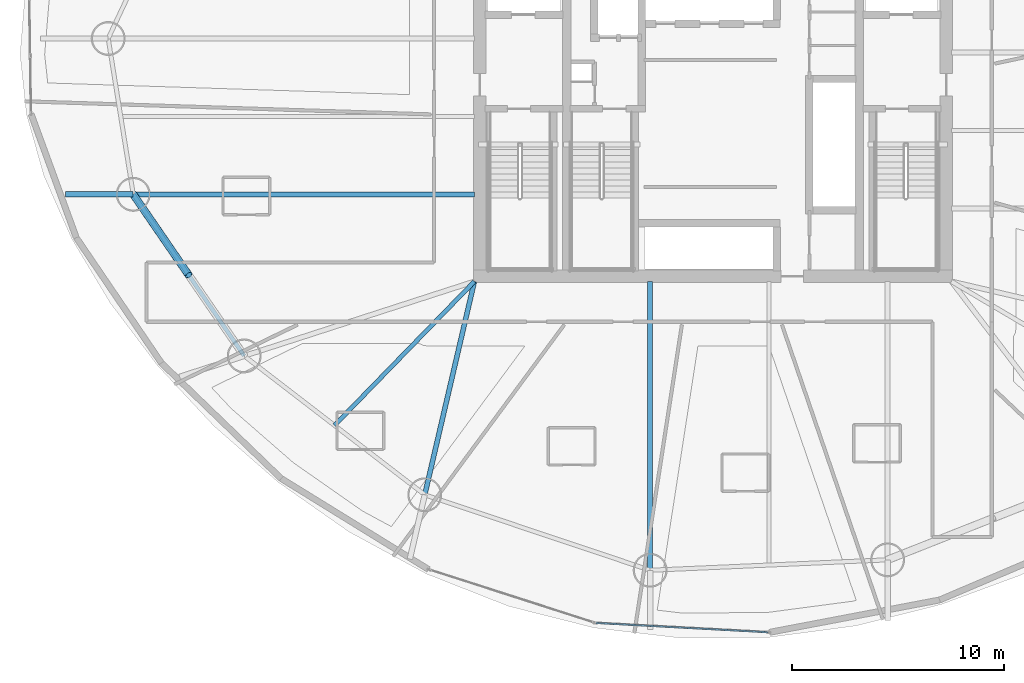
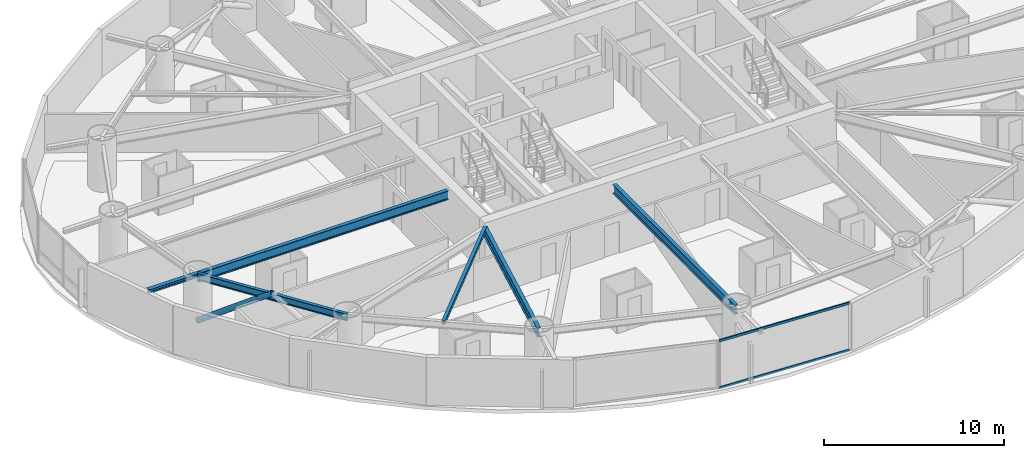
# One storey, part 3 of 26: 6 beams, 3 members, 1 element without a shape of its own.
"""IFC4 building model written with IfcOpenShell, lengths in metres."""

import ifcopenshell
import ifcopenshell.guid

model = None  # the IFC model being written
_history = None  # IfcOwnerHistory: only IFC2X3 demands one
_inside = {}  # id of a spatial element -> (the spatial element, [elements in it])
_under = {}  # id of a project, library or spatial element -> (it, [spatial elements below it])
_declared = {}  # id of a project -> (the project, [libraries it declares])
_typed = {}  # id of a type object -> (the type object, [elements of that type])
_made_of = {}  # id of a material, layer set ... -> (it, [elements and type objects made of it])


def new_model(schema):
    """Start an empty IFC model of exactly this schema.

    Asked for "IFC4X3", IfcOpenShell would pick the latest addendum, in which some entities
    have other attributes; the version numbers below select the first issue.
    IFC2X3 requires an IfcOwnerHistory on every rooted entity: one is made here for all.
    """
    global model, _history
    if schema == "IFC4X3":
        model = ifcopenshell.file(schema_version=(4, 3, 0, 0))
    else:
        model = ifcopenshell.file(schema=schema)
    _inside.clear()
    _under.clear()
    _declared.clear()
    _typed.clear()
    _made_of.clear()
    _history = None
    if model.schema == "IFC2X3":
        org = make("IfcOrganization", Name="unknown")
        user = make(
            "IfcPersonAndOrganization",
            ThePerson=make("IfcPerson", FamilyName="unknown"),
            TheOrganization=org,
        )
        app = make(
            "IfcApplication",
            ApplicationDeveloper=org,
            Version="unknown",
            ApplicationFullName="unknown",
            ApplicationIdentifier="unknown",
        )
        _history = make(
            "IfcOwnerHistory",
            OwningUser=user,
            OwningApplication=app,
            ChangeAction="ADDED",
            CreationDate=0,
        )
    return model


def make(cls, **values):
    """One entity of the class cls with the attributes given. An attribute that is None is left unset."""
    return model.create_entity(
        cls, **{name: value for name, value in values.items() if value is not None}
    )


def rooted(cls, **values):
    """An entity with a GlobalId (a new one), such as an element, a storey or a relation."""
    return make(cls, GlobalId=ifcopenshell.guid.new(), OwnerHistory=_history, **values)


def si_unit(unit_type, name, prefix=None):
    """IfcSIUnit, for example si_unit("LENGTHUNIT", "METRE", prefix="MILLI")."""
    return make("IfcSIUnit", UnitType=unit_type, Prefix=prefix, Name=name)


def assignment(units):
    """IfcUnitAssignment: the units of a project."""
    return None if units is None else make("IfcUnitAssignment", Units=units)


def point(xyz):
    """IfcCartesianPoint."""
    return None if xyz is None else make("IfcCartesianPoint", Coordinates=xyz)


def direction(xyz):
    """IfcDirection."""
    return None if xyz is None else make("IfcDirection", DirectionRatios=xyz)


def frame(location, z_axis=None, x_axis=None):
    """IfcAxis2Placement3D, a coordinate frame: its origin and axes. An axis left out is left unset."""
    return make(
        "IfcAxis2Placement3D",
        Location=point(location),
        Axis=direction(z_axis),
        RefDirection=direction(x_axis),
    )


def frame_2d(location, x_axis=None):
    """IfcAxis2Placement2D, a coordinate frame in the plane: its origin and x axis."""
    return make(
        "IfcAxis2Placement2D", Location=point(location), RefDirection=direction(x_axis)
    )


def origin():
    """The frame at (0, 0, 0) with its axes left unset."""
    return frame((0.0, 0.0, 0.0))


def origin_2d():
    """The frame at (0, 0) in the plane with its x axis left unset."""
    return frame_2d((0.0, 0.0))


def place(relative_to, where):
    """IfcLocalPlacement: puts the frame where relative to a parent placement (None: the world)."""
    return make(
        "IfcLocalPlacement", PlacementRelTo=relative_to, RelativePlacement=where
    )


def context(
    kind, dimensions, precision=None, world=None, true_north=None, identifier=None
):
    """IfcGeometricRepresentationContext, for example the 3D "Model" context."""
    return make(
        "IfcGeometricRepresentationContext",
        ContextIdentifier=identifier,
        ContextType=kind,
        CoordinateSpaceDimension=dimensions,
        Precision=precision,
        WorldCoordinateSystem=world,
        TrueNorth=true_north,
    )


def subcontext(parent, identifier, kind, view, scale=None):
    """IfcGeometricRepresentationSubContext, for example "Body" below "Model"."""
    return make(
        "IfcGeometricRepresentationSubContext",
        ContextIdentifier=identifier,
        ContextType=kind,
        ParentContext=parent,
        TargetScale=scale,
        TargetView=view,
    )


def project(units=None, contexts=None):
    """IfcProject with its units and contexts."""
    return rooted(
        "IfcProject",
        Name="project",
        RepresentationContexts=contexts,
        UnitsInContext=assignment(units),
    )


def spatial(cls, under=None, at=None, **own):
    """A site, building, storey or space (cls), placed at a placement, below another one or the project."""
    s = rooted(cls, ObjectPlacement=at, **own)
    if under is not None:
        _under.setdefault(under.id(), (under, []))[1].append(s)
    return s


def profile(cls, at=None, kind="AREA", **sizes):
    """A parametric profile (cls). Its sizes go by their IFC names, for example OverallWidth=200.0."""
    return make(cls, ProfileType=kind, Position=at, **sizes)


def hollow_rectangle(**sizes):
    """IfcRectangleHollowProfileDef."""
    return profile("IfcRectangleHollowProfileDef", **sizes)


def hollow_circle(**sizes):
    """IfcCircleHollowProfileDef."""
    return profile("IfcCircleHollowProfileDef", **sizes)


def i_section(**sizes):
    """IfcIShapeProfileDef."""
    return profile("IfcIShapeProfileDef", **sizes)


def extrude(swept, where, along, depth):
    """IfcExtrudedAreaSolid: the profile swept, set in the frame where, extruded along a direction by depth."""
    return make(
        "IfcExtrudedAreaSolid",
        SweptArea=swept,
        Position=where,
        ExtrudedDirection=direction(along),
        Depth=depth,
    )


def shape(context_of_items, identifier, shape_type, items):
    """IfcShapeRepresentation: the items that make up one representation, for example the "Body"."""
    return make(
        "IfcShapeRepresentation",
        ContextOfItems=context_of_items,
        RepresentationIdentifier=identifier,
        RepresentationType=shape_type,
        Items=items,
    )


def material(Name=None, Category=None):
    """IfcMaterial."""
    return make("IfcMaterial", Name=Name, Category=Category)


def layer(
    of_material, thickness, ventilated=None, Name=None, Category=None, Priority=None
):
    """IfcMaterialLayer: one layer of a wall or slab, of a material (None: an air gap)."""
    return make(
        "IfcMaterialLayer",
        Material=of_material,
        LayerThickness=thickness,
        IsVentilated=ventilated,
        Name=Name,
        Category=Category,
        Priority=Priority,
    )


def layer_set(layers, Name=None):
    """IfcMaterialLayerSet."""
    return make("IfcMaterialLayerSet", MaterialLayers=layers, LayerSetName=Name)


def material_profile(
    of_material, cross_section, Name=None, Category=None, Priority=None
):
    """IfcMaterialProfile: a cross section and its material."""
    return make(
        "IfcMaterialProfile",
        Name=Name,
        Material=of_material,
        Profile=cross_section,
        Priority=Priority,
        Category=Category,
    )


def profile_set(profiles, Name=None, composite=None):
    """IfcMaterialProfileSet."""
    return make(
        "IfcMaterialProfileSet",
        Name=Name,
        MaterialProfiles=profiles,
        CompositeProfile=composite,
    )


def made_of(thing, what):
    """Note that an element or type object is made of a material, layer set ...; save() writes the relation."""
    if what is not None:
        _made_of.setdefault(what.id(), (what, []))[1].append(thing)
    return thing


def type_object(cls, material=None, **own):
    """A type object (cls), such as IfcWallType, which elements share."""
    return made_of(rooted(cls, **own), material)


def element(
    cls,
    number,
    at=None,
    inside=None,
    cuts=None,
    type_object=None,
    material=None,
    context=None,
    identifier="Body",
    shape_type=None,
    held_by="IfcProductDefinitionShape",
    body=None,
    shapes=None,
    **own,
):
    """One element of the class cls, such as IfcWall. Its Tag is "e" and its number.

    at: its placement. inside: the storey or other place that contains it. cuts: it is an
    opening in that element (IfcRelVoidsElement). A single representation is given by context,
    identifier, shape_type and body (its items); several are given by shapes. held_by: the class
    of the entity that holds the representations. save() writes the other relations.
    """
    e = rooted(cls, Tag="e%d" % number, ObjectPlacement=at, **own)
    if body is not None:
        shapes = [shape(context, identifier, shape_type, body)]
    if shapes is not None:
        e.Representation = make(held_by, Representations=shapes)
    if inside is not None:
        _inside.setdefault(inside.id(), (inside, []))[1].append(e)
    if cuts is not None:
        rooted(
            "IfcRelVoidsElement", RelatingBuildingElement=cuts, RelatedOpeningElement=e
        )
    if type_object is not None:
        _typed.setdefault(type_object.id(), (type_object, []))[1].append(e)
    return made_of(e, material)


def aggregate(whole, parts):
    """IfcRelAggregates: a whole, such as a stair, and the parts it consists of."""
    return rooted("IfcRelAggregates", RelatingObject=whole, RelatedObjects=parts)


def save(model, path):
    """Write the relations noted so far, then the file.

    IfcRelAggregates (storeys below a building ...), IfcRelContainedInSpatialStructure (elements
    in a storey), IfcRelDefinesByType, IfcRelAssociatesMaterial and IfcRelDeclares: one each for
    every whole, place, type object, material and project.
    """
    for whole, parts in _under.values():
        aggregate(whole, parts)
    for where, things in _inside.values():
        rooted(
            "IfcRelContainedInSpatialStructure",
            RelatedElements=things,
            RelatingStructure=where,
        )
    for kind, things in _typed.values():
        rooted("IfcRelDefinesByType", RelatedObjects=things, RelatingType=kind)
    for what, things in _made_of.values():
        rooted("IfcRelAssociatesMaterial", RelatedObjects=things, RelatingMaterial=what)
    for by, libraries in _declared.values():
        rooted("IfcRelDeclares", RelatingContext=by, RelatedDefinitions=libraries)
    model.write(path)


model = new_model("IFC4")

# Units and contexts
model_context = context("Model", 3, precision=1e-05, world=origin(), true_north=direction((0.0, 1.0)))
body_context = subcontext(model_context, "Body", "Model", "MODEL_VIEW")
ifc_project = project(units=[si_unit("LENGTHUNIT", "METRE"), si_unit("AREAUNIT", "SQUARE_METRE"), si_unit("VOLUMEUNIT", "CUBIC_METRE"), si_unit("PLANEANGLEUNIT", "RADIAN"), si_unit("MASSUNIT", "GRAM", prefix="KILO")], contexts=[model_context])

# Site, building, storey
site_placement = place(None, origin())
site = spatial("IfcSite", under=ifc_project, at=site_placement, CompositionType="ELEMENT")
building_placement = place(site_placement, origin())
building = spatial("IfcBuilding", under=site, at=building_placement, Name="Bramvorn Convention Spire", CompositionType="ELEMENT")
storey_placement = place(building_placement, frame((0.0, 0.0, 76.39990234375)))
storey = spatial("IfcBuildingStorey", under=building, at=storey_placement, Name="L17", CompositionType="ELEMENT", Elevation=76.39990234375)

# Beams
ifc_material_1 = material(Name="Steel CSA G40.21 Grade 350 (350W)", Category="steel")
ifc_material_profile_1 = material_profile(ifc_material_1, i_section(OverallWidth=0.201904296875, OverallDepth=0.2470703125, WebThickness=0.00732421875, FlangeThickness=0.010986328125, FilletRadius=0.011962890625, at=origin_2d()))
ifc_profile_set_1 = profile_set([ifc_material_profile_1], Name="Steel CSA G40.21 Grade 350 (350W) - W250X49")
beam_type_1 = type_object("IfcBeamType", Name="BM-W250X49", PredefinedType="JOIST", material=ifc_profile_set_1)
beam_1_placement = place(storey_placement, frame((26.75, 18.550048828125, 3.126708984375), z_axis=(-0.697157225069, -0.716918268378, 0.0), x_axis=(0.716918268378, -0.697157225069, 0.0)))
element("IfcBeam", 1, at=beam_1_placement, inside=storey, type_object=beam_type_1, Name="L17 composite floor joist 11", PredefinedType="JOIST", context=body_context, shape_type="SweptSolid", body=[
    extrude(i_section(OverallWidth=0.201904296875, OverallDepth=0.2470703125, WebThickness=0.00732421875, FlangeThickness=0.010986328125, FilletRadius=0.011962890625, at=origin_2d()), origin(), (0.0, 0.0, 1.0), 9.463623046875),
])
ifc_material_profile_2 = material_profile(ifc_material_1, i_section(OverallWidth=0.25390625, OverallDepth=0.2529296875, WebThickness=0.008544921875, FlangeThickness=0.01416015625, FilletRadius=0.011962890625, at=origin_2d()))
ifc_profile_set_2 = profile_set([ifc_material_profile_2], Name="Steel CSA G40.21 Grade 350 (350W) - W250X73")
beam_type_2 = type_object("IfcBeamType", Name="BM-W250X73", PredefinedType="BEAM", material=ifc_profile_set_2)
beam_2_placement = place(storey_placement, frame((10.661376953125, 22.659912109375, 3.12353515625), z_axis=(-1.0, 0.0, 0.0), x_axis=(0.0, -1.0, 0.0)))
element("IfcBeam", 2, at=beam_2_placement, inside=storey, type_object=beam_type_2, Name="L17 slab-edge cantilever tip beam MC10", PredefinedType="BEAM", context=body_context, shape_type="SweptSolid", body=[
    extrude(i_section(OverallWidth=0.25390625, OverallDepth=0.2529296875, WebThickness=0.008544921875, FlangeThickness=0.01416015625, FilletRadius=0.011962890625, at=origin_2d()), origin(), (0.0, 0.0, 1.0), 3.199951171875),
])
ifc_material_profile_3 = material_profile(ifc_material_1, i_section(OverallWidth=0.194091796875, OverallDepth=0.468994140625, WebThickness=0.0126953125, FlangeThickness=0.0205078125, FilletRadius=0.01806640625, at=origin_2d()))
ifc_profile_set_3 = profile_set([ifc_material_profile_3], Name="Steel CSA G40.21 Grade 350 (350W) - W460X106")
beam_type_3 = type_object("IfcBeamType", Name="BM-W460X106", PredefinedType="SPANDREL", material=ifc_profile_set_3)
beam_3_placement = place(storey_placement, frame((10.661376953125, 22.659912109375, 3.015625), z_axis=(0.566129730789, -0.824316157743, 0.0), x_axis=(0.824316157743, 0.566129730789, 0.0)))
element("IfcBeam", 3, at=beam_3_placement, inside=storey, type_object=beam_type_3, Name="L17 mega-column ring beam 10", PredefinedType="SPANDREL", context=body_context, shape_type="SweptSolid", body=[
    extrude(i_section(OverallWidth=0.194091796875, OverallDepth=0.468994140625, WebThickness=0.0126953125, FlangeThickness=0.0205078125, FilletRadius=0.01806640625, at=origin_2d()), origin(), (0.0, 0.0, 1.0), 9.244140625),
])
ifc_material_profile_4 = material_profile(ifc_material_1, i_section(OverallWidth=0.22998046875, OverallDepth=0.616943359375, WebThickness=0.01318359375, FlangeThickness=0.022216796875, FilletRadius=0.02001953125, at=origin_2d()))
ifc_profile_set_4 = profile_set([ifc_material_profile_4], Name="Steel CSA G40.21 Grade 350 (350W) - W610X140")
beam_type_4 = type_object("IfcBeamType", Name="BM-W610X140", PredefinedType="BEAM", material=ifc_profile_set_4)
beam_4_placement = place(storey_placement, frame((26.75, 22.659912109375, 2.941650390625), z_axis=(-1.0, 0.0, 0.0), x_axis=(0.0, -1.0, 0.0)))
element("IfcBeam", 4, at=beam_4_placement, inside=storey, type_object=beam_type_4, Name="L17 radial floor girder MC10", PredefinedType="BEAM", context=body_context, shape_type="SweptSolid", body=[
    extrude(i_section(OverallWidth=0.22998046875, OverallDepth=0.616943359375, WebThickness=0.01318359375, FlangeThickness=0.022216796875, FilletRadius=0.02001953125, at=origin_2d()), origin(), (0.0, 0.0, 1.0), 16.088623046875),
])
beam_5_placement = place(storey_placement, frame((26.75, 18.550048828125, 2.941650390625), z_axis=(-0.226606328522, -0.973986433106, 0.0), x_axis=(0.973986433106, -0.226606328522, 0.0)))
element("IfcBeam", 5, at=beam_5_placement, inside=storey, type_object=beam_type_4, Name="L17 radial floor girder MC12", PredefinedType="BEAM", context=body_context, shape_type="SweptSolid", body=[
    extrude(i_section(OverallWidth=0.22998046875, OverallDepth=0.616943359375, WebThickness=0.01318359375, FlangeThickness=0.022216796875, FilletRadius=0.02001953125, at=origin_2d()), origin(), (0.0, 0.0, 1.0), 10.32763671875),
])
beam_6_placement = place(storey_placement, frame((35.0390625, 18.550048828125, 2.941650390625), z_axis=(0.0, -1.0, 0.0), x_axis=(1.0, 0.0, 0.0)))
element("IfcBeam", 6, at=beam_6_placement, inside=storey, type_object=beam_type_4, Name="L17 radial floor girder MC13", PredefinedType="BEAM", context=body_context, shape_type="SweptSolid", body=[
    extrude(i_section(OverallWidth=0.22998046875, OverallDepth=0.616943359375, WebThickness=0.01318359375, FlangeThickness=0.022216796875, FilletRadius=0.02001953125, at=origin_2d()), origin(), (0.0, 0.0, 1.0), 13.618896484375),
])

# Curtain wall, members
ifc_material_2 = material(Name="Anodised Bronze Unitised Curtain Wall", Category="aluminium")
ifc_layer = layer(ifc_material_2, 0.179931640625)
ifc_layer_set = layer_set([ifc_layer], Name="Anodised Bronze Unitised Curtain Wall - CW-HTL-FRIT")
curtain_wall_type = type_object("IfcCurtainWallType", Name="CW-HTL-FRIT", PredefinedType="USERDEFINED", material=ifc_layer_set)
curtain_wall_placement = place(storey_placement, origin())
curtain_wall = element("IfcCurtainWall", 7, at=curtain_wall_placement, inside=storey, type_object=curtain_wall_type, Name="L17 fritted glass curtain wall 19", ObjectType="UNITISED CURTAIN WALL", PredefinedType="USERDEFINED")
ifc_material_3 = material(Name="Anodised Bronze Aluminium 6063-T6", Category="aluminium")
ifc_material_profile_5 = material_profile(ifc_material_3, hollow_rectangle(XDim=0.080078125, YDim=0.159912109375, WallThickness=0.00390625, InnerFilletRadius=0.0009765625, OuterFilletRadius=0.00390625, at=origin_2d()))
ifc_profile_set_5 = profile_set([ifc_material_profile_5], Name="Anodised Bronze Aluminium 6063-T6 - CWT80X160")
member_type_1 = type_object("IfcMemberType", Name="CW-TRN-150", PredefinedType="USERDEFINED", material=ifc_profile_set_5)
member_1_placement = place(storey_placement, frame((40.60546875, 2.006591796875, 0.030029296875), z_axis=(-0.998541484969, 0.053989839751, 0.0), x_axis=(-0.053989839751, -0.998541484969, 0.0)))
member_1 = element("IfcMember", 8, at=member_1_placement, type_object=member_type_1, Name="CW2 transom 1.1", ObjectType="TRANSOM", PredefinedType="USERDEFINED", context=body_context, shape_type="SweptSolid", body=[
    extrude(hollow_rectangle(XDim=0.080078125, YDim=0.159912109375, WallThickness=0.00390625, InnerFilletRadius=0.0009765625, OuterFilletRadius=0.00390625, at=origin_2d()), origin(), (0.0, 0.0, 1.0), 8.12158203125),
])
member_2_placement = place(storey_placement, frame((40.60546875, 2.006591796875, 3.22021484375), z_axis=(-0.998541484969, 0.053989839751, 0.0), x_axis=(-0.053989839751, -0.998541484969, 0.0)))
member_2 = element("IfcMember", 9, at=member_2_placement, type_object=member_type_1, Name="CW2 transom 1.2", ObjectType="TRANSOM", PredefinedType="USERDEFINED", context=body_context, shape_type="SweptSolid", body=[
    extrude(hollow_rectangle(XDim=0.080078125, YDim=0.159912109375, WallThickness=0.00390625, InnerFilletRadius=0.0009765625, OuterFilletRadius=0.00390625, at=origin_2d()), origin(), (0.0, 0.0, 1.0), 8.12158203125),
])
aggregate(curtain_wall, [member_1, member_2])

# Member
ifc_material_profile_6 = material_profile(ifc_material_1, hollow_circle(Radius=0.177734375, WallThickness=0.015869140625, at=origin_2d()))
ifc_profile_set_6 = profile_set([ifc_material_profile_6], Name="Steel CSA G40.21 Grade 350 (350W) - CHS356X16")
member_type_2 = type_object("IfcMemberType", Name="MBR-CHS356X16", PredefinedType="BRACE", material=ifc_profile_set_6)
member_3_placement = place(storey_placement, frame((10.661376953125, 22.659912109375, 0.0), z_axis=(0.463106048325, -0.674307985647, 0.575188254833), x_axis=(0.824316157743, 0.566129730789, 0.0)))
element("IfcMember", 10, at=member_3_placement, inside=storey, type_object=member_type_2, Name="L17 perimeter Gothic lancet brace 10A", PredefinedType="BRACE", context=body_context, shape_type="SweptSolid", body=[
    extrude(hollow_circle(Radius=0.177734375, WallThickness=0.015869140625, at=origin_2d()), origin(), (0.0, 0.0, 1.0), 5.650390625),
])

save(model, "model.ifc")
